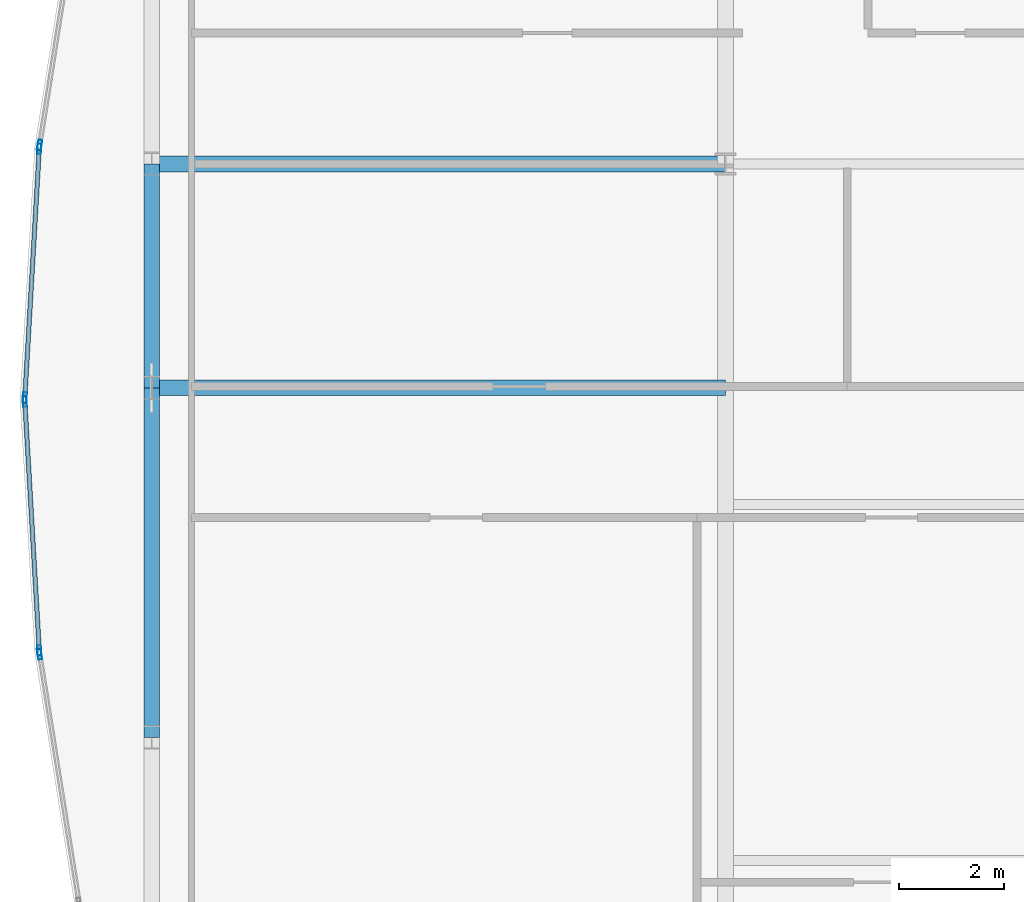
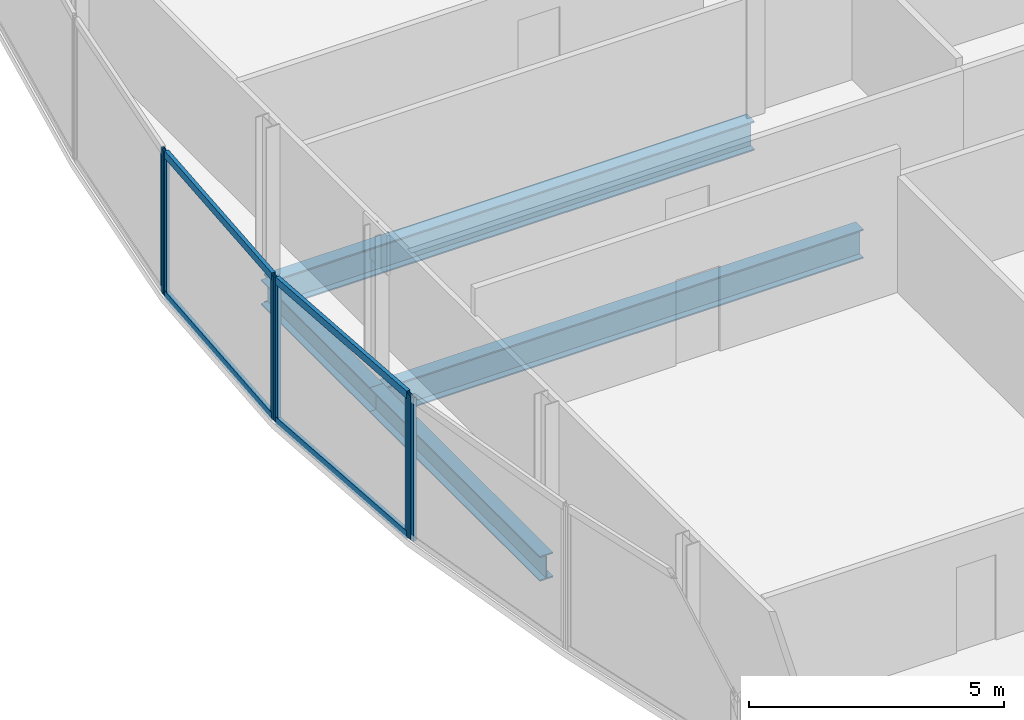
# One storey, part 10 of 30: 10 members, 4 beams, 4 elements without a shape of their own.
"""IFC4 building model written with IfcOpenShell, lengths in metres."""

from ifc_helpers import new_model, si_unit, direction, frame, origin, origin_2d, place, context, subcontext, project, spatial, hollow_rectangle, i_section, extrude, material, material_profile, profile_set, type_object, element, aggregate, save


model = new_model("IFC4")

# Units and contexts
model_context = context("Model", 3, precision=1e-05, world=origin(), true_north=direction((0.0, 1.0)))
body_context = subcontext(model_context, "Body", "Model", "MODEL_VIEW")
ifc_project = project(units=[si_unit("LENGTHUNIT", "METRE"), si_unit("AREAUNIT", "SQUARE_METRE"), si_unit("VOLUMEUNIT", "CUBIC_METRE"), si_unit("PLANEANGLEUNIT", "RADIAN"), si_unit("MASSUNIT", "GRAM", prefix="KILO")], contexts=[model_context])

# Site, building, storey
site_placement = place(None, origin())
site = spatial("IfcSite", under=ifc_project, at=site_placement, CompositionType="ELEMENT")
building_placement = place(site_placement, origin())
building = spatial("IfcBuilding", under=site, at=building_placement, Name="Khoronbel Lancet Exchange", CompositionType="ELEMENT")
storey_placement = place(building_placement, frame((0.0, 0.0, 217.39990234375)))
storey = spatial("IfcBuildingStorey", under=building, at=storey_placement, Name="L55", CompositionType="ELEMENT", Elevation=217.39990234375)

# Beams
ifc_material_1 = material(Name="Steel S355", Category="steel")
ifc_material_profile_1 = material_profile(ifc_material_1, i_section(OverallWidth=0.300048828125, OverallDepth=0.699951171875, WebThickness=0.01708984375, FlangeThickness=0.031982421875, at=origin_2d()), Name="HEB 700")
ifc_profile_set_1 = profile_set([ifc_material_profile_1], Name="Steel S355")
beam_type_1 = type_object("IfcBeamType", Name="BM-BG3", PredefinedType="BEAM", material=ifc_profile_set_1)
for number, where, z_axis, x_axis, name in (
    (1, (7.27001953125, 31.425048828125, -0.510009765625), (1.0, 0.0, 0.0), (0.0, 1.0, 0.0), "Level L55 west lens tie girder LG2W"),
    (2, (7.27001953125, 35.699951171875, -0.510009765625), (1.0, 0.0, 0.0), (0.0, 1.0, 0.0), "Level L55 west lens tie girder LG4W"),
):
    element("IfcBeam", number, at=place(storey_placement, frame(where, z_axis=z_axis, x_axis=x_axis)), inside=storey, type_object=beam_type_1, Name=name, PredefinedType="BEAM", context=body_context, shape_type="SweptSolid", body=[
        extrude(i_section(OverallWidth=0.300048828125, OverallDepth=0.699951171875, WebThickness=0.01708984375, FlangeThickness=0.031982421875, at=origin_2d()), origin(), (0.0, 0.0, 1.0), 10.955078125),
    ])
ifc_material_profile_2 = material_profile(ifc_material_1, i_section(OverallWidth=0.300048828125, OverallDepth=0.60009765625, WebThickness=0.015380859375, FlangeThickness=0.030029296875, at=origin_2d()), Name="HEB 600")
ifc_profile_set_2 = profile_set([ifc_material_profile_2], Name="Steel S355")
beam_type_2 = type_object("IfcBeamType", Name="BM-BSP2", PredefinedType="SPANDREL", material=ifc_profile_set_2)
beam_1_placement = place(storey_placement, frame((7.27001953125, 35.699951171875, -0.4599609375), z_axis=(0.0, -1.0, 0.0), x_axis=(1.0, 0.0, 0.0)))
element("IfcBeam", 3, at=beam_1_placement, inside=storey, type_object=beam_type_2, Name="Level L55 perimeter spandrel beam SP18", PredefinedType="SPANDREL", context=body_context, shape_type="SweptSolid", body=[
    extrude(i_section(OverallWidth=0.300048828125, OverallDepth=0.60009765625, WebThickness=0.015380859375, FlangeThickness=0.030029296875, at=origin_2d()), origin(), (0.0, 0.0, 1.0), 4.27490234375),
])
beam_2_placement = place(storey_placement, frame((7.27001953125, 31.425048828125, -0.4599609375), z_axis=(0.0, -1.0, 0.0), x_axis=(1.0, 0.0, 0.0)))
element("IfcBeam", 4, at=beam_2_placement, inside=storey, type_object=beam_type_2, Name="Level L55 perimeter spandrel beam SP19", PredefinedType="SPANDREL", context=body_context, shape_type="SweptSolid", body=[
    extrude(i_section(OverallWidth=0.300048828125, OverallDepth=0.60009765625, WebThickness=0.015380859375, FlangeThickness=0.030029296875, at=origin_2d()), origin(), (0.0, 0.0, 1.0), 6.675048828125),
])

# Curtain wall, member
ifc_material_2 = material(Name="Low-E Solar Control Insulating Glass", Category="glass")
curtain_wall_type = type_object("IfcCurtainWallType", Name="CW-4", PredefinedType="NOTDEFINED", material=ifc_material_2)
curtain_wall_1_placement = place(storey_placement, origin())
curtain_wall_1 = element("IfcCurtainWall", 5, at=curtain_wall_1_placement, inside=storey, type_object=curtain_wall_type, Name="Unitised curtain wall CW-L55-E05", PredefinedType="NOTDEFINED")
ifc_material_3 = material(Name="Bronze-Anodised Aluminium 6063-T6", Category="aluminium")
ifc_material_profile_3 = material_profile(ifc_material_3, hollow_rectangle(XDim=0.074951171875, YDim=0.199951171875, WallThickness=0.0048828125, at=origin_2d()), Name="ALU MULLION 75x200")
ifc_profile_set_3 = profile_set([ifc_material_profile_3], Name="Bronze-Anodised Aluminium 6063-T6")
member_type_1 = type_object("IfcMemberType", Name="MEM-CWM2", PredefinedType="MULLION", material=ifc_profile_set_3)
member_1_placement = place(storey_placement, frame((5.13232421875, 26.33935546875, 0.0), z_axis=(0.0, 0.0, 1.0), x_axis=(-0.987661213762, -0.156605641119, 0.0)))
member_1 = element("IfcMember", 6, at=member_1_placement, type_object=member_type_1, Name="CW4 mullion 2", PredefinedType="MULLION", context=body_context, shape_type="SweptSolid", body=[
    extrude(hollow_rectangle(XDim=0.074951171875, YDim=0.199951171875, WallThickness=0.0048828125, at=origin_2d()), origin(), (0.0, 0.0, 1.0), 3.440185546875),
])
aggregate(curtain_wall_1, [member_1])

# Curtain wall, members
curtain_wall_2_placement = place(storey_placement, origin())
curtain_wall_2 = element("IfcCurtainWall", 7, at=curtain_wall_2_placement, inside=storey, type_object=curtain_wall_type, Name="Unitised curtain wall CW-L55-E06", PredefinedType="NOTDEFINED")
member_2_placement = place(storey_placement, frame((5.124267578125, 26.413818359375, 0.0), z_axis=(0.0, 0.0, 1.0), x_axis=(-0.998320661811, -0.057929752304, 0.0)))
member_2 = element("IfcMember", 8, at=member_2_placement, type_object=member_type_1, Name="CW4 mullion 1", PredefinedType="MULLION", context=body_context, shape_type="SweptSolid", body=[
    extrude(hollow_rectangle(XDim=0.074951171875, YDim=0.199951171875, WallThickness=0.0048828125, at=origin_2d()), origin(), (0.0, 0.0, 1.0), 3.440185546875),
])
member_3_placement = place(storey_placement, frame((4.8486328125, 31.16259765625, 0.0), z_axis=(0.0, 0.0, 1.0), x_axis=(-0.998320661811, -0.057929752304, 0.0)))
member_3 = element("IfcMember", 9, at=member_3_placement, type_object=member_type_1, Name="CW4 mullion 2", PredefinedType="MULLION", context=body_context, shape_type="SweptSolid", body=[
    extrude(hollow_rectangle(XDim=0.074951171875, YDim=0.199951171875, WallThickness=0.0048828125, at=origin_2d()), origin(), (0.0, 0.0, 1.0), 3.440185546875),
])

curtain_wall_3_placement = place(storey_placement, origin())
curtain_wall_3 = element("IfcCurtainWall", 10, at=curtain_wall_3_placement, inside=storey, type_object=curtain_wall_type, Name="Unitised curtain wall CW-L55-E07", PredefinedType="NOTDEFINED")
member_4_placement = place(storey_placement, frame((4.8486328125, 31.237548828125, 0.0), z_axis=(0.0, 0.0, 1.0), x_axis=(-0.998320661811, 0.057929752304, 0.0)))
member_4 = element("IfcMember", 11, at=member_4_placement, type_object=member_type_1, Name="CW4 mullion 1", PredefinedType="MULLION", context=body_context, shape_type="SweptSolid", body=[
    extrude(hollow_rectangle(XDim=0.074951171875, YDim=0.199951171875, WallThickness=0.0048828125, at=origin_2d()), origin(), (0.0, 0.0, 1.0), 3.440185546875),
])
member_5_placement = place(storey_placement, frame((5.124267578125, 35.986083984375, 0.0), z_axis=(0.0, 0.0, 1.0), x_axis=(-0.998320661811, 0.057929752304, 0.0)))
member_5 = element("IfcMember", 12, at=member_5_placement, type_object=member_type_1, Name="CW4 mullion 2", PredefinedType="MULLION", context=body_context, shape_type="SweptSolid", body=[
    extrude(hollow_rectangle(XDim=0.074951171875, YDim=0.199951171875, WallThickness=0.0048828125, at=origin_2d()), origin(), (0.0, 0.0, 1.0), 3.440185546875),
])

# Curtain wall, member
curtain_wall_4_placement = place(storey_placement, origin())
curtain_wall_4 = element("IfcCurtainWall", 13, at=curtain_wall_4_placement, inside=storey, type_object=curtain_wall_type, Name="Unitised curtain wall CW-L55-E08", PredefinedType="NOTDEFINED")
member_6_placement = place(storey_placement, frame((5.13232421875, 36.060546875, 0.0), z_axis=(0.0, 0.0, 1.0), x_axis=(-0.987661213762, 0.156605641119, 0.0)))
member_6 = element("IfcMember", 14, at=member_6_placement, type_object=member_type_1, Name="CW4 mullion 1", PredefinedType="MULLION", context=body_context, shape_type="SweptSolid", body=[
    extrude(hollow_rectangle(XDim=0.074951171875, YDim=0.199951171875, WallThickness=0.0048828125, at=origin_2d()), origin(), (0.0, 0.0, 1.0), 3.440185546875),
])
aggregate(curtain_wall_4, [member_6])

# Member
ifc_material_profile_4 = material_profile(ifc_material_3, hollow_rectangle(XDim=0.0849609375, YDim=0.179931640625, WallThickness=0.0048828125, at=origin_2d()), Name="ALU TRANSOM 85x180")
ifc_profile_set_4 = profile_set([ifc_material_profile_4], Name="Bronze-Anodised Aluminium 6063-T6")
member_type_2 = type_object("IfcMemberType", Name="MEM-CWT1", PredefinedType="USERDEFINED", material=ifc_profile_set_4)
member_7_placement = place(storey_placement, frame((5.1220703125, 26.451171875, 0.04248046875), z_axis=(-0.057933351956, 0.998320452926, 0.0), x_axis=(-0.998320452926, -0.057933351956, 0.0)))
member_7 = element("IfcMember", 15, at=member_7_placement, type_object=member_type_2, Name="CW4 transom 1.1", ObjectType="TRANSOM", PredefinedType="USERDEFINED", context=body_context, shape_type="SweptSolid", body=[
    extrude(hollow_rectangle(XDim=0.0849609375, YDim=0.179931640625, WallThickness=0.0048828125, at=origin_2d()), origin(), (0.0, 0.0, 1.0), 4.681884765625),
])

member_8_placement = place(storey_placement, frame((5.1220703125, 26.451171875, 3.397705078125), z_axis=(-0.057933351956, 0.998320452926, 0.0), x_axis=(-0.998320452926, -0.057933351956, 0.0)))
member_8 = element("IfcMember", 16, at=member_8_placement, type_object=member_type_2, Name="CW4 transom 1.2", ObjectType="TRANSOM", PredefinedType="USERDEFINED", context=body_context, shape_type="SweptSolid", body=[
    extrude(hollow_rectangle(XDim=0.0849609375, YDim=0.179931640625, WallThickness=0.0048828125, at=origin_2d()), origin(), (0.0, 0.0, 1.0), 4.681884765625),
])

aggregate(curtain_wall_2, [member_2, member_3, member_7, member_8])

member_9_placement = place(storey_placement, frame((4.850830078125, 31.27490234375, 0.04248046875), z_axis=(0.057936367987, 0.998320277899, 0.0), x_axis=(-0.998320277899, 0.057936367987, 0.0)))
member_9 = element("IfcMember", 17, at=member_9_placement, type_object=member_type_2, Name="CW4 transom 1.1", ObjectType="TRANSOM", PredefinedType="USERDEFINED", context=body_context, shape_type="SweptSolid", body=[
    extrude(hollow_rectangle(XDim=0.0849609375, YDim=0.179931640625, WallThickness=0.0048828125, at=origin_2d()), origin(), (0.0, 0.0, 1.0), 4.681640625),
])

member_10_placement = place(storey_placement, frame((4.850830078125, 31.27490234375, 3.397705078125), z_axis=(0.057936367987, 0.998320277899, 0.0), x_axis=(-0.998320277899, 0.057936367987, 0.0)))
member_10 = element("IfcMember", 18, at=member_10_placement, type_object=member_type_2, Name="CW4 transom 1.2", ObjectType="TRANSOM", PredefinedType="USERDEFINED", context=body_context, shape_type="SweptSolid", body=[
    extrude(hollow_rectangle(XDim=0.0849609375, YDim=0.179931640625, WallThickness=0.0048828125, at=origin_2d()), origin(), (0.0, 0.0, 1.0), 4.681640625),
])

aggregate(curtain_wall_3, [member_4, member_5, member_9, member_10])

save(model, "model.ifc")
